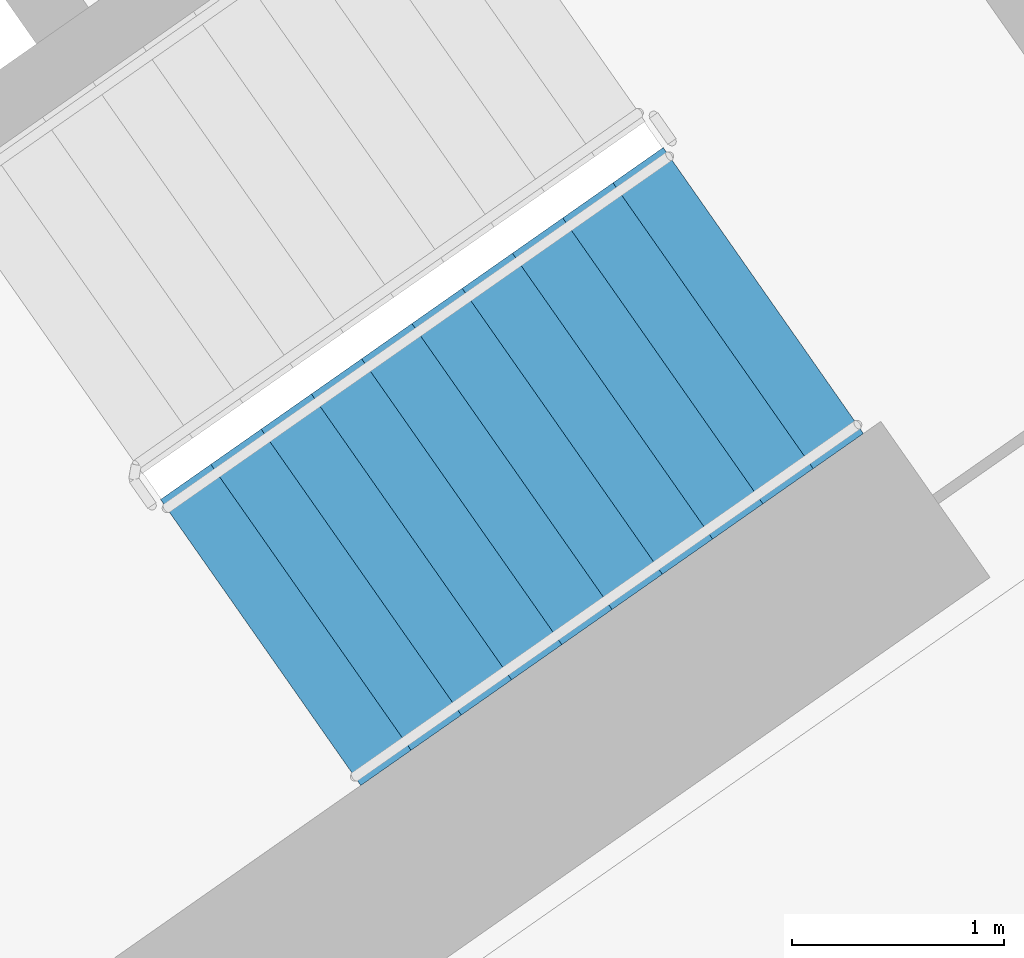
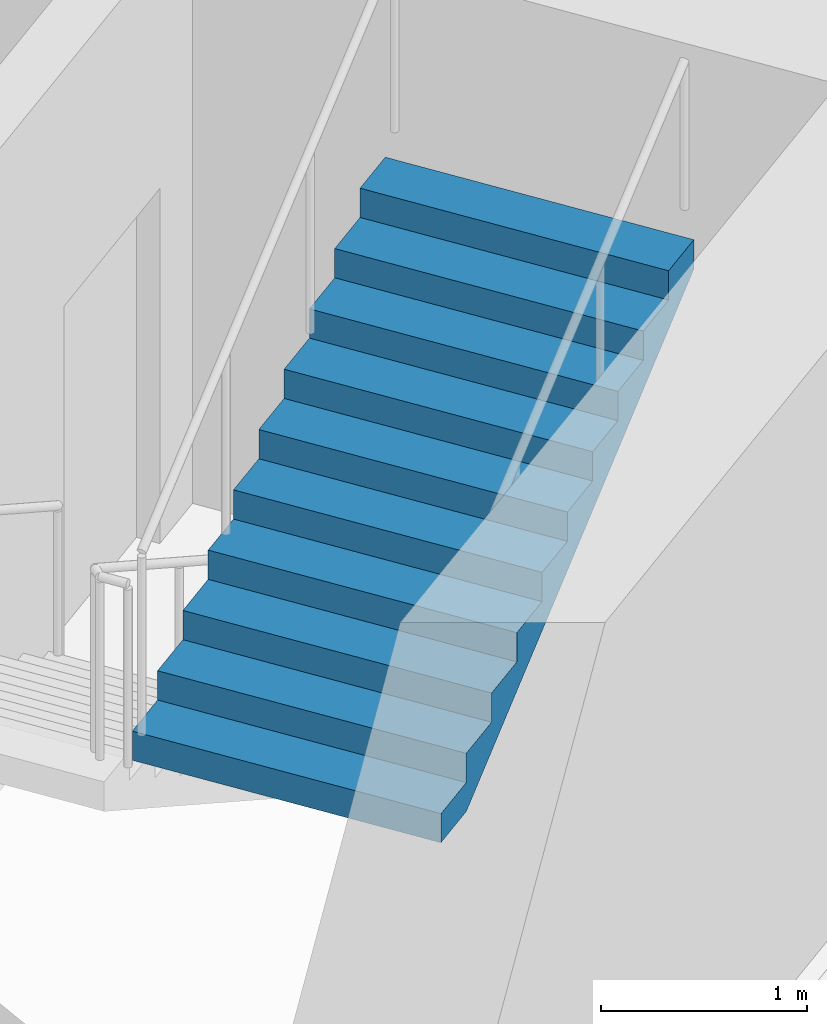
# One storey, part 15 of 29: 1 stair flight, 1 element without a shape of its own.
"""IFC4 building model written with IfcOpenShell, lengths in metres."""

from ifc_helpers import new_model, si_unit, direction, frame, origin, place, context, subcontext, project, spatial, faceted_brep, material, type_object, element, aggregate, save


model = new_model("IFC4")

# Units and contexts
model_context = context("Model", 3, precision=1e-05, world=origin(), true_north=direction((0.0, 1.0)))
body_context = subcontext(model_context, "Body", "Model", "MODEL_VIEW")
ifc_project = project(units=[si_unit("LENGTHUNIT", "METRE"), si_unit("AREAUNIT", "SQUARE_METRE"), si_unit("VOLUMEUNIT", "CUBIC_METRE"), si_unit("PLANEANGLEUNIT", "RADIAN"), si_unit("MASSUNIT", "GRAM", prefix="KILO")], contexts=[model_context])

# Site, building, storey
site_placement = place(None, origin())
site = spatial("IfcSite", under=ifc_project, at=site_placement, CompositionType="ELEMENT")
building_placement = place(site_placement, origin())
building = spatial("IfcBuilding", under=site, at=building_placement, Name="Qamariyya Broadcast Tower", CompositionType="ELEMENT")
storey_placement = place(building_placement, frame((0.0, 0.0, 136.699951171875)))
storey = spatial("IfcBuildingStorey", under=building, at=storey_placement, Name="L31", CompositionType="ELEMENT", Elevation=136.699951171875)

# Stair, stair flight
ifc_material = material(Name="Concrete C50/60", Category="concrete")
stair_type = type_object("IfcStairType", Name="Exit stair 22 risers of 173 mm", PredefinedType="HALF_TURN_STAIR", material=ifc_material)
stair_placement = place(storey_placement, origin())
stair = element("IfcStair", 1, at=stair_placement, inside=storey, type_object=stair_type, Name="L31 Stair E1", PredefinedType="HALF_TURN_STAIR")
stair_flight_type = type_object("IfcStairFlightType", Name="Exit stair flight 11 risers of 173 mm", PredefinedType="STRAIGHT", material=ifc_material)
stair_flight_placement = place(storey_placement, frame((44.693359375, -58.64599609375, 1.900146484375), z_axis=(0.0, 0.0, 1.0), x_axis=(0.819152044289, 0.573576436351, 0.0)))
stair_flight = element("IfcStairFlight", 2, at=stair_flight_placement, type_object=stair_flight_type, Name="ST-E1 flight 2", NumberOfRisers=11, NumberOfTreads=10, PredefinedType="STRAIGHT", RiserHeight=0.172727273, TreadLength=0.29, context=body_context, shape_type="Brep", body=[
    faceted_brep([(0.0, 0.824951171875, 0.0), (0.0, 0.824951171875, 0.172607421875), (0.2900390625, 0.824951171875, 0.172607421875), (0.2900390625, 0.824951171875, 0.345458984375), (0.580078125, 0.824951171875, 0.345458984375), (0.580078125, 0.824951171875, 0.51806640625), (0.8701171875, 0.824951171875, 0.51806640625), (0.8701171875, 0.824951171875, 0.69091796875), (1.159912109375, 0.824951171875, 0.69091796875), (1.159912109375, 0.824951171875, 0.863525390625), (1.449951171875, 0.824951171875, 0.863525390625), (1.449951171875, 0.824951171875, 1.036376953125), (1.739990234375, 0.824951171875, 1.036376953125), (1.739990234375, 0.824951171875, 1.208984375), (2.030029296875, 0.824951171875, 1.208984375), (2.030029296875, 0.824951171875, 1.3818359375), (2.320068359375, 0.824951171875, 1.3818359375), (2.320068359375, 0.824951171875, 1.554443359375), (2.610107421875, 0.824951171875, 1.554443359375), (2.610107421875, 0.824951171875, 1.727294921875), (2.89990234375, 0.824951171875, 1.727294921875), (2.89990234375, 0.824951171875, 1.552734375), (0.29296875, 0.824951171875, 0.0), (0.29296875, -0.824951171875, 0.0), (2.89990234375, -0.824951171875, 1.552734375), (2.89990234375, -0.824951171875, 1.727294921875), (2.610107421875, -0.824951171875, 1.727294921875), (2.610107421875, -0.824951171875, 1.554443359375), (2.320068359375, -0.824951171875, 1.554443359375), (2.320068359375, -0.824951171875, 1.3818359375), (2.030029296875, -0.824951171875, 1.3818359375), (2.030029296875, -0.824951171875, 1.208984375), (1.739990234375, -0.824951171875, 1.208984375), (1.739990234375, -0.824951171875, 1.036376953125), (1.449951171875, -0.824951171875, 1.036376953125), (1.449951171875, -0.824951171875, 0.863525390625), (1.159912109375, -0.824951171875, 0.863525390625), (1.159912109375, -0.824951171875, 0.69091796875), (0.8701171875, -0.824951171875, 0.69091796875), (0.8701171875, -0.824951171875, 0.51806640625), (0.580078125, -0.824951171875, 0.51806640625), (0.580078125, -0.824951171875, 0.345458984375), (0.2900390625, -0.824951171875, 0.345458984375), (0.2900390625, -0.824951171875, 0.172607421875), (0.0, -0.824951171875, 0.172607421875), (0.0, -0.824951171875, 0.0), (0.0, 0.10009765625, 0.0), (0.0, 0.086669921875, 0.0), (0.0, 0.0732421875, 0.0), (0.0, 0.06005859375, 0.0), (0.0, 0.046630859375, 0.0), (0.0, 0.033447265625, 0.0), (0.0, 0.02001953125, 0.0), (0.0, 0.006591796875, 0.0), (0.0, -0.006591796875, 0.0), (0.0, -0.02001953125, 0.0), (0.0, -0.033447265625, 0.0), (0.0, -0.046630859375, 0.0), (0.0, -0.06005859375, 0.0), (0.0, -0.0732421875, 0.0), (0.0, -0.086669921875, 0.0), (0.0, -0.10009765625, 0.0), (0.0, -0.10009765625, 0.172607421875), (0.0, -0.086669921875, 0.172607421875), (0.0, -0.0732421875, 0.172607421875), (0.0, -0.06005859375, 0.172607421875), (0.0, -0.046630859375, 0.172607421875), (0.0, -0.033447265625, 0.172607421875), (0.0, -0.02001953125, 0.172607421875), (0.0, -0.006591796875, 0.172607421875), (0.0, 0.006591796875, 0.172607421875), (0.0, 0.02001953125, 0.172607421875), (0.0, 0.033447265625, 0.172607421875), (0.0, 0.046630859375, 0.172607421875), (0.0, 0.06005859375, 0.172607421875), (0.0, 0.0732421875, 0.172607421875), (0.0, 0.086669921875, 0.172607421875), (0.0, 0.10009765625, 0.172607421875), (0.2900390625, -0.10009765625, 0.172607421875), (0.2900390625, -0.086669921875, 0.172607421875), (0.2900390625, -0.0732421875, 0.172607421875), (0.2900390625, -0.06005859375, 0.172607421875), (0.2900390625, -0.046630859375, 0.172607421875), (0.2900390625, -0.033447265625, 0.172607421875), (0.2900390625, -0.02001953125, 0.172607421875), (0.2900390625, -0.006591796875, 0.172607421875), (0.2900390625, 0.006591796875, 0.172607421875), (0.2900390625, 0.02001953125, 0.172607421875), (0.2900390625, 0.033447265625, 0.172607421875), (0.2900390625, 0.046630859375, 0.172607421875), (0.2900390625, 0.06005859375, 0.172607421875), (0.2900390625, 0.0732421875, 0.172607421875), (0.2900390625, 0.086669921875, 0.172607421875), (0.2900390625, 0.10009765625, 0.172607421875), (0.2900390625, -0.10009765625, 0.345458984375), (0.2900390625, -0.086669921875, 0.345458984375), (0.2900390625, -0.0732421875, 0.345458984375), (0.2900390625, -0.06005859375, 0.345458984375), (0.2900390625, -0.046630859375, 0.345458984375), (0.2900390625, -0.033447265625, 0.345458984375), (0.2900390625, -0.02001953125, 0.345458984375), (0.2900390625, -0.006591796875, 0.345458984375), (0.2900390625, 0.006591796875, 0.345458984375), (0.2900390625, 0.02001953125, 0.345458984375), (0.2900390625, 0.033447265625, 0.345458984375), (0.2900390625, 0.046630859375, 0.345458984375), (0.2900390625, 0.06005859375, 0.345458984375), (0.2900390625, 0.0732421875, 0.345458984375), (0.2900390625, 0.086669921875, 0.345458984375), (0.2900390625, 0.10009765625, 0.345458984375), (0.580078125, -0.10009765625, 0.345458984375), (0.580078125, -0.086669921875, 0.345458984375), (0.580078125, -0.0732421875, 0.345458984375), (0.580078125, -0.06005859375, 0.345458984375), (0.580078125, -0.046630859375, 0.345458984375), (0.580078125, -0.033447265625, 0.345458984375), (0.580078125, -0.02001953125, 0.345458984375), (0.580078125, -0.006591796875, 0.345458984375), (0.580078125, 0.006591796875, 0.345458984375), (0.580078125, 0.02001953125, 0.345458984375), (0.580078125, 0.033447265625, 0.345458984375), (0.580078125, 0.046630859375, 0.345458984375), (0.580078125, 0.06005859375, 0.345458984375), (0.580078125, 0.0732421875, 0.345458984375), (0.580078125, 0.086669921875, 0.345458984375), (0.580078125, 0.10009765625, 0.345458984375), (0.580078125, -0.10009765625, 0.51806640625), (0.580078125, -0.086669921875, 0.51806640625), (0.580078125, -0.0732421875, 0.51806640625), (0.580078125, -0.06005859375, 0.51806640625), (0.580078125, -0.046630859375, 0.51806640625), (0.580078125, -0.033447265625, 0.51806640625), (0.580078125, -0.02001953125, 0.51806640625), (0.580078125, -0.006591796875, 0.51806640625), (0.580078125, 0.006591796875, 0.51806640625), (0.580078125, 0.02001953125, 0.51806640625), (0.580078125, 0.033447265625, 0.51806640625), (0.580078125, 0.046630859375, 0.51806640625), (0.580078125, 0.06005859375, 0.51806640625), (0.580078125, 0.0732421875, 0.51806640625), (0.580078125, 0.086669921875, 0.51806640625), (0.580078125, 0.10009765625, 0.51806640625), (0.8701171875, -0.10009765625, 0.51806640625), (0.8701171875, -0.086669921875, 0.51806640625), (0.8701171875, -0.0732421875, 0.51806640625), (0.8701171875, -0.06005859375, 0.51806640625), (0.8701171875, -0.046630859375, 0.51806640625), (0.8701171875, -0.033447265625, 0.51806640625), (0.8701171875, -0.02001953125, 0.51806640625), (0.8701171875, -0.006591796875, 0.51806640625), (0.8701171875, 0.006591796875, 0.51806640625), (0.8701171875, 0.02001953125, 0.51806640625), (0.8701171875, 0.033447265625, 0.51806640625), (0.8701171875, 0.046630859375, 0.51806640625), (0.8701171875, 0.06005859375, 0.51806640625), (0.8701171875, 0.0732421875, 0.51806640625), (0.8701171875, 0.086669921875, 0.51806640625), (0.8701171875, 0.10009765625, 0.51806640625), (0.8701171875, -0.10009765625, 0.69091796875), (0.8701171875, -0.086669921875, 0.69091796875), (0.8701171875, -0.0732421875, 0.69091796875), (0.8701171875, -0.06005859375, 0.69091796875), (0.8701171875, -0.046630859375, 0.69091796875), (0.8701171875, -0.033447265625, 0.69091796875), (0.8701171875, -0.02001953125, 0.69091796875), (0.8701171875, -0.006591796875, 0.69091796875), (0.8701171875, 0.006591796875, 0.69091796875), (0.8701171875, 0.02001953125, 0.69091796875), (0.8701171875, 0.033447265625, 0.69091796875), (0.8701171875, 0.046630859375, 0.69091796875), (0.8701171875, 0.06005859375, 0.69091796875), (0.8701171875, 0.0732421875, 0.69091796875), (0.8701171875, 0.086669921875, 0.69091796875), (0.8701171875, 0.10009765625, 0.69091796875), (1.159912109375, -0.10009765625, 0.69091796875), (1.159912109375, -0.086669921875, 0.69091796875), (1.159912109375, -0.0732421875, 0.69091796875), (1.159912109375, -0.06005859375, 0.69091796875), (1.159912109375, -0.046630859375, 0.69091796875), (1.159912109375, -0.033447265625, 0.69091796875), (1.159912109375, -0.02001953125, 0.69091796875), (1.159912109375, -0.006591796875, 0.69091796875), (1.159912109375, 0.006591796875, 0.69091796875), (1.159912109375, 0.02001953125, 0.69091796875), (1.159912109375, 0.033447265625, 0.69091796875), (1.159912109375, 0.046630859375, 0.69091796875), (1.159912109375, 0.06005859375, 0.69091796875), (1.159912109375, 0.0732421875, 0.69091796875), (1.159912109375, 0.086669921875, 0.69091796875), (1.159912109375, 0.10009765625, 0.69091796875), (1.159912109375, -0.10009765625, 0.863525390625), (1.159912109375, -0.086669921875, 0.863525390625), (1.159912109375, -0.0732421875, 0.863525390625), (1.159912109375, -0.06005859375, 0.863525390625), (1.159912109375, -0.046630859375, 0.863525390625), (1.159912109375, -0.033447265625, 0.863525390625), (1.159912109375, -0.02001953125, 0.863525390625), (1.159912109375, -0.006591796875, 0.863525390625), (1.159912109375, 0.006591796875, 0.863525390625), (1.159912109375, 0.02001953125, 0.863525390625), (1.159912109375, 0.033447265625, 0.863525390625), (1.159912109375, 0.046630859375, 0.863525390625), (1.159912109375, 0.06005859375, 0.863525390625), (1.159912109375, 0.0732421875, 0.863525390625), (1.159912109375, 0.086669921875, 0.863525390625), (1.159912109375, 0.10009765625, 0.863525390625), (1.449951171875, -0.10009765625, 0.863525390625), (1.449951171875, -0.086669921875, 0.863525390625), (1.449951171875, -0.0732421875, 0.863525390625), (1.449951171875, -0.06005859375, 0.863525390625), (1.449951171875, -0.046630859375, 0.863525390625), (1.449951171875, -0.033447265625, 0.863525390625), (1.449951171875, -0.02001953125, 0.863525390625), (1.449951171875, -0.006591796875, 0.863525390625), (1.449951171875, 0.006591796875, 0.863525390625), (1.449951171875, 0.02001953125, 0.863525390625), (1.449951171875, 0.033447265625, 0.863525390625), (1.449951171875, 0.046630859375, 0.863525390625), (1.449951171875, 0.06005859375, 0.863525390625), (1.449951171875, 0.0732421875, 0.863525390625), (1.449951171875, 0.086669921875, 0.863525390625), (1.449951171875, 0.10009765625, 0.863525390625), (1.449951171875, -0.10009765625, 1.036376953125), (1.449951171875, -0.086669921875, 1.036376953125), (1.449951171875, -0.0732421875, 1.036376953125), (1.449951171875, -0.06005859375, 1.036376953125), (1.449951171875, -0.046630859375, 1.036376953125), (1.449951171875, -0.033447265625, 1.036376953125), (1.449951171875, -0.02001953125, 1.036376953125), (1.449951171875, -0.006591796875, 1.036376953125), (1.449951171875, 0.006591796875, 1.036376953125), (1.449951171875, 0.02001953125, 1.036376953125), (1.449951171875, 0.033447265625, 1.036376953125), (1.449951171875, 0.046630859375, 1.036376953125), (1.449951171875, 0.06005859375, 1.036376953125), (1.449951171875, 0.0732421875, 1.036376953125), (1.449951171875, 0.086669921875, 1.036376953125), (1.449951171875, 0.10009765625, 1.036376953125), (1.739990234375, -0.10009765625, 1.036376953125), (1.739990234375, -0.086669921875, 1.036376953125), (1.739990234375, -0.0732421875, 1.036376953125), (1.739990234375, -0.06005859375, 1.036376953125), (1.739990234375, -0.046630859375, 1.036376953125), (1.739990234375, -0.033447265625, 1.036376953125), (1.739990234375, -0.02001953125, 1.036376953125), (1.739990234375, -0.006591796875, 1.036376953125), (1.739990234375, 0.006591796875, 1.036376953125), (1.739990234375, 0.02001953125, 1.036376953125), (1.739990234375, 0.033447265625, 1.036376953125), (1.739990234375, 0.046630859375, 1.036376953125), (1.739990234375, 0.06005859375, 1.036376953125), (1.739990234375, 0.0732421875, 1.036376953125), (1.739990234375, 0.086669921875, 1.036376953125), (1.739990234375, 0.10009765625, 1.036376953125), (1.739990234375, -0.10009765625, 1.208984375), (1.739990234375, -0.086669921875, 1.208984375), (1.739990234375, -0.0732421875, 1.208984375), (1.739990234375, -0.06005859375, 1.208984375), (1.739990234375, -0.046630859375, 1.208984375), (1.739990234375, -0.033447265625, 1.208984375), (1.739990234375, -0.02001953125, 1.208984375), (1.739990234375, -0.006591796875, 1.208984375), (1.739990234375, 0.006591796875, 1.208984375), (1.739990234375, 0.02001953125, 1.208984375), (1.739990234375, 0.033447265625, 1.208984375), (1.739990234375, 0.046630859375, 1.208984375), (1.739990234375, 0.06005859375, 1.208984375), (1.739990234375, 0.0732421875, 1.208984375), (1.739990234375, 0.086669921875, 1.208984375), (1.739990234375, 0.10009765625, 1.208984375), (2.030029296875, -0.10009765625, 1.208984375), (2.030029296875, -0.086669921875, 1.208984375), (2.030029296875, -0.0732421875, 1.208984375), (2.030029296875, -0.06005859375, 1.208984375), (2.030029296875, -0.046630859375, 1.208984375), (2.030029296875, -0.033447265625, 1.208984375), (2.030029296875, -0.02001953125, 1.208984375), (2.030029296875, -0.006591796875, 1.208984375), (2.030029296875, 0.006591796875, 1.208984375), (2.030029296875, 0.02001953125, 1.208984375), (2.030029296875, 0.033447265625, 1.208984375), (2.030029296875, 0.046630859375, 1.208984375), (2.030029296875, 0.06005859375, 1.208984375), (2.030029296875, 0.0732421875, 1.208984375), (2.030029296875, 0.086669921875, 1.208984375), (2.030029296875, 0.10009765625, 1.208984375), (2.030029296875, -0.10009765625, 1.3818359375), (2.030029296875, -0.086669921875, 1.3818359375), (2.030029296875, -0.0732421875, 1.3818359375), (2.030029296875, -0.06005859375, 1.3818359375), (2.030029296875, -0.046630859375, 1.3818359375), (2.030029296875, -0.033447265625, 1.3818359375), (2.030029296875, -0.02001953125, 1.3818359375), (2.030029296875, -0.006591796875, 1.3818359375), (2.030029296875, 0.006591796875, 1.3818359375), (2.030029296875, 0.02001953125, 1.3818359375), (2.030029296875, 0.033447265625, 1.3818359375), (2.030029296875, 0.046630859375, 1.3818359375), (2.030029296875, 0.06005859375, 1.3818359375), (2.030029296875, 0.0732421875, 1.3818359375), (2.030029296875, 0.086669921875, 1.3818359375), (2.030029296875, 0.10009765625, 1.3818359375), (2.320068359375, -0.10009765625, 1.3818359375), (2.320068359375, -0.086669921875, 1.3818359375), (2.320068359375, -0.0732421875, 1.3818359375), (2.320068359375, -0.06005859375, 1.3818359375), (2.320068359375, -0.046630859375, 1.3818359375), (2.320068359375, -0.033447265625, 1.3818359375), (2.320068359375, -0.02001953125, 1.3818359375), (2.320068359375, -0.006591796875, 1.3818359375), (2.320068359375, 0.006591796875, 1.3818359375), (2.320068359375, 0.02001953125, 1.3818359375), (2.320068359375, 0.033447265625, 1.3818359375), (2.320068359375, 0.046630859375, 1.3818359375), (2.320068359375, 0.06005859375, 1.3818359375), (2.320068359375, 0.0732421875, 1.3818359375), (2.320068359375, 0.086669921875, 1.3818359375), (2.320068359375, 0.10009765625, 1.3818359375), (2.320068359375, -0.10009765625, 1.554443359375), (2.320068359375, -0.086669921875, 1.554443359375), (2.320068359375, -0.0732421875, 1.554443359375), (2.320068359375, -0.06005859375, 1.554443359375), (2.320068359375, -0.046630859375, 1.554443359375), (2.320068359375, -0.033447265625, 1.554443359375), (2.320068359375, -0.02001953125, 1.554443359375), (2.320068359375, -0.006591796875, 1.554443359375), (2.320068359375, 0.006591796875, 1.554443359375), (2.320068359375, 0.02001953125, 1.554443359375), (2.320068359375, 0.033447265625, 1.554443359375), (2.320068359375, 0.046630859375, 1.554443359375), (2.320068359375, 0.06005859375, 1.554443359375), (2.320068359375, 0.0732421875, 1.554443359375), (2.320068359375, 0.086669921875, 1.554443359375), (2.320068359375, 0.10009765625, 1.554443359375), (2.610107421875, -0.10009765625, 1.554443359375), (2.610107421875, -0.086669921875, 1.554443359375), (2.610107421875, -0.0732421875, 1.554443359375), (2.610107421875, -0.06005859375, 1.554443359375), (2.610107421875, -0.046630859375, 1.554443359375), (2.610107421875, -0.033447265625, 1.554443359375), (2.610107421875, -0.02001953125, 1.554443359375), (2.610107421875, -0.006591796875, 1.554443359375), (2.610107421875, 0.006591796875, 1.554443359375), (2.610107421875, 0.02001953125, 1.554443359375), (2.610107421875, 0.033447265625, 1.554443359375), (2.610107421875, 0.046630859375, 1.554443359375), (2.610107421875, 0.06005859375, 1.554443359375), (2.610107421875, 0.0732421875, 1.554443359375), (2.610107421875, 0.086669921875, 1.554443359375), (2.610107421875, 0.10009765625, 1.554443359375), (2.610107421875, -0.10009765625, 1.727294921875), (2.610107421875, -0.086669921875, 1.727294921875), (2.610107421875, -0.0732421875, 1.727294921875), (2.610107421875, -0.06005859375, 1.727294921875), (2.610107421875, -0.046630859375, 1.727294921875), (2.610107421875, -0.033447265625, 1.727294921875), (2.610107421875, -0.02001953125, 1.727294921875), (2.610107421875, -0.006591796875, 1.727294921875), (2.610107421875, 0.006591796875, 1.727294921875), (2.610107421875, 0.02001953125, 1.727294921875), (2.610107421875, 0.033447265625, 1.727294921875), (2.610107421875, 0.046630859375, 1.727294921875), (2.610107421875, 0.06005859375, 1.727294921875), (2.610107421875, 0.0732421875, 1.727294921875), (2.610107421875, 0.086669921875, 1.727294921875), (2.610107421875, 0.10009765625, 1.727294921875), (2.89990234375, -0.10009765625, 1.727294921875), (2.89990234375, -0.086669921875, 1.727294921875), (2.89990234375, -0.0732421875, 1.727294921875), (2.89990234375, -0.06005859375, 1.727294921875), (2.89990234375, -0.046630859375, 1.727294921875), (2.89990234375, -0.033447265625, 1.727294921875), (2.89990234375, -0.02001953125, 1.727294921875), (2.89990234375, -0.006591796875, 1.727294921875), (2.89990234375, 0.006591796875, 1.727294921875), (2.89990234375, 0.02001953125, 1.727294921875), (2.89990234375, 0.033447265625, 1.727294921875), (2.89990234375, 0.046630859375, 1.727294921875), (2.89990234375, 0.06005859375, 1.727294921875), (2.89990234375, 0.0732421875, 1.727294921875), (2.89990234375, 0.086669921875, 1.727294921875), (2.89990234375, 0.10009765625, 1.727294921875), (2.89990234375, -0.10009765625, 1.552734375), (2.89990234375, -0.086669921875, 1.552734375), (2.89990234375, -0.0732421875, 1.552734375), (2.89990234375, -0.06005859375, 1.552734375), (2.89990234375, -0.046630859375, 1.552734375), (2.89990234375, -0.033447265625, 1.552734375), (2.89990234375, -0.02001953125, 1.552734375), (2.89990234375, -0.006591796875, 1.552734375), (2.89990234375, 0.006591796875, 1.552734375), (2.89990234375, 0.02001953125, 1.552734375), (2.89990234375, 0.033447265625, 1.552734375), (2.89990234375, 0.046630859375, 1.552734375), (2.89990234375, 0.06005859375, 1.552734375), (2.89990234375, 0.0732421875, 1.552734375), (2.89990234375, 0.086669921875, 1.552734375), (2.89990234375, 0.10009765625, 1.552734375), (0.29296875, -0.10009765625, 0.0), (0.29296875, -0.086669921875, 0.0), (0.29296875, -0.0732421875, 0.0), (0.29296875, -0.06005859375, 0.0), (0.29296875, -0.046630859375, 0.0), (0.29296875, -0.033447265625, 0.0), (0.29296875, -0.02001953125, 0.0), (0.29296875, -0.006591796875, 0.0), (0.29296875, 0.006591796875, 0.0), (0.29296875, 0.02001953125, 0.0), (0.29296875, 0.033447265625, 0.0), (0.29296875, 0.046630859375, 0.0), (0.29296875, 0.06005859375, 0.0), (0.29296875, 0.0732421875, 0.0), (0.29296875, 0.086669921875, 0.0), (0.29296875, 0.10009765625, 0.0)], [[[0, 1, 2, 3, 4, 5, 6, 7, 8, 9, 10, 11, 12, 13, 14, 15, 16, 17, 18, 19, 20, 21, 22]], [[23, 24, 25, 26, 27, 28, 29, 30, 31, 32, 33, 34, 35, 36, 37, 38, 39, 40, 41, 42, 43, 44, 45]], [[0, 46, 47, 48, 49, 50, 51, 52, 53, 54, 55, 56, 57, 58, 59, 60, 61, 45, 44, 62, 63, 64, 65, 66, 67, 68, 69, 70, 71, 72, 73, 74, 75, 76, 77, 1]], [[1, 77, 76, 75, 74, 73, 72, 71, 70, 69, 68, 67, 66, 65, 64, 63, 62, 44, 43, 78, 79, 80, 81, 82, 83, 84, 85, 86, 87, 88, 89, 90, 91, 92, 93, 2]], [[2, 93, 92, 91, 90, 89, 88, 87, 86, 85, 84, 83, 82, 81, 80, 79, 78, 43, 42, 94, 95, 96, 97, 98, 99, 100, 101, 102, 103, 104, 105, 106, 107, 108, 109, 3]], [[3, 109, 108, 107, 106, 105, 104, 103, 102, 101, 100, 99, 98, 97, 96, 95, 94, 42, 41, 110, 111, 112, 113, 114, 115, 116, 117, 118, 119, 120, 121, 122, 123, 124, 125, 4]], [[4, 125, 124, 123, 122, 121, 120, 119, 118, 117, 116, 115, 114, 113, 112, 111, 110, 41, 40, 126, 127, 128, 129, 130, 131, 132, 133, 134, 135, 136, 137, 138, 139, 140, 141, 5]], [[5, 141, 140, 139, 138, 137, 136, 135, 134, 133, 132, 131, 130, 129, 128, 127, 126, 40, 39, 142, 143, 144, 145, 146, 147, 148, 149, 150, 151, 152, 153, 154, 155, 156, 157, 6]], [[6, 157, 156, 155, 154, 153, 152, 151, 150, 149, 148, 147, 146, 145, 144, 143, 142, 39, 38, 158, 159, 160, 161, 162, 163, 164, 165, 166, 167, 168, 169, 170, 171, 172, 173, 7]], [[7, 173, 172, 171, 170, 169, 168, 167, 166, 165, 164, 163, 162, 161, 160, 159, 158, 38, 37, 174, 175, 176, 177, 178, 179, 180, 181, 182, 183, 184, 185, 186, 187, 188, 189, 8]], [[8, 189, 188, 187, 186, 185, 184, 183, 182, 181, 180, 179, 178, 177, 176, 175, 174, 37, 36, 190, 191, 192, 193, 194, 195, 196, 197, 198, 199, 200, 201, 202, 203, 204, 205, 9]], [[9, 205, 204, 203, 202, 201, 200, 199, 198, 197, 196, 195, 194, 193, 192, 191, 190, 36, 35, 206, 207, 208, 209, 210, 211, 212, 213, 214, 215, 216, 217, 218, 219, 220, 221, 10]], [[10, 221, 220, 219, 218, 217, 216, 215, 214, 213, 212, 211, 210, 209, 208, 207, 206, 35, 34, 222, 223, 224, 225, 226, 227, 228, 229, 230, 231, 232, 233, 234, 235, 236, 237, 11]], [[11, 237, 236, 235, 234, 233, 232, 231, 230, 229, 228, 227, 226, 225, 224, 223, 222, 34, 33, 238, 239, 240, 241, 242, 243, 244, 245, 246, 247, 248, 249, 250, 251, 252, 253, 12]], [[12, 253, 252, 251, 250, 249, 248, 247, 246, 245, 244, 243, 242, 241, 240, 239, 238, 33, 32, 254, 255, 256, 257, 258, 259, 260, 261, 262, 263, 264, 265, 266, 267, 268, 269, 13]], [[13, 269, 268, 267, 266, 265, 264, 263, 262, 261, 260, 259, 258, 257, 256, 255, 254, 32, 31, 270, 271, 272, 273, 274, 275, 276, 277, 278, 279, 280, 281, 282, 283, 284, 285, 14]], [[14, 285, 284, 283, 282, 281, 280, 279, 278, 277, 276, 275, 274, 273, 272, 271, 270, 31, 30, 286, 287, 288, 289, 290, 291, 292, 293, 294, 295, 296, 297, 298, 299, 300, 301, 15]], [[15, 301, 300, 299, 298, 297, 296, 295, 294, 293, 292, 291, 290, 289, 288, 287, 286, 30, 29, 302, 303, 304, 305, 306, 307, 308, 309, 310, 311, 312, 313, 314, 315, 316, 317, 16]], [[16, 317, 316, 315, 314, 313, 312, 311, 310, 309, 308, 307, 306, 305, 304, 303, 302, 29, 28, 318, 319, 320, 321, 322, 323, 324, 325, 326, 327, 328, 329, 330, 331, 332, 333, 17]], [[17, 333, 332, 331, 330, 329, 328, 327, 326, 325, 324, 323, 322, 321, 320, 319, 318, 28, 27, 334, 335, 336, 337, 338, 339, 340, 341, 342, 343, 344, 345, 346, 347, 348, 349, 18]], [[18, 349, 348, 347, 346, 345, 344, 343, 342, 341, 340, 339, 338, 337, 336, 335, 334, 27, 26, 350, 351, 352, 353, 354, 355, 356, 357, 358, 359, 360, 361, 362, 363, 364, 365, 19]], [[19, 365, 364, 363, 362, 361, 360, 359, 358, 357, 356, 355, 354, 353, 352, 351, 350, 26, 25, 366, 367, 368, 369, 370, 371, 372, 373, 374, 375, 376, 377, 378, 379, 380, 381, 20]], [[20, 381, 380, 379, 378, 377, 376, 375, 374, 373, 372, 371, 370, 369, 368, 367, 366, 25, 24, 382, 383, 384, 385, 386, 387, 388, 389, 390, 391, 392, 393, 394, 395, 396, 397, 21]], [[21, 397, 396, 395, 394, 393, 392, 391, 390, 389, 388, 387, 386, 385, 384, 383, 382, 24, 23, 398, 399, 400, 401, 402, 403, 404, 405, 406, 407, 408, 409, 410, 411, 412, 413, 22]], [[22, 413, 412, 411, 410, 409, 408, 407, 406, 405, 404, 403, 402, 401, 400, 399, 398, 23, 45, 61, 60, 59, 58, 57, 56, 55, 54, 53, 52, 51, 50, 49, 48, 47, 46, 0]]]),
])
aggregate(stair, [stair_flight])

save(model, "model.ifc")
